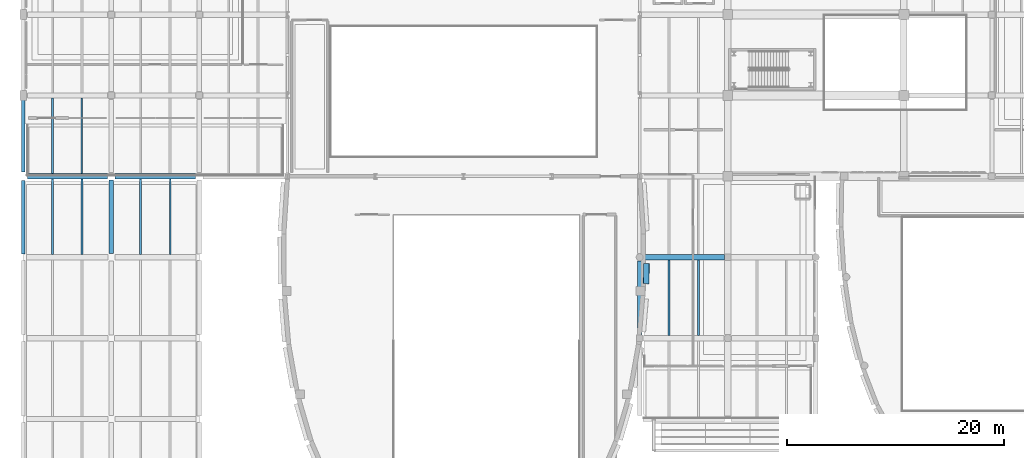
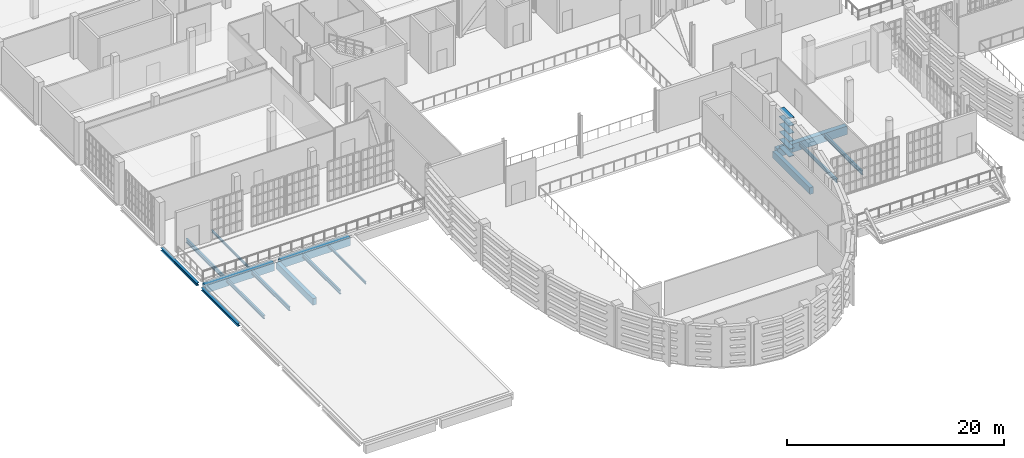
# One storey, part 12 of 104: 15 beams, 6 members.
"""IFC4 building model written with IfcOpenShell, lengths in metres."""

import ifcopenshell
import ifcopenshell.guid

model = None  # the IFC model being written
_history = None  # IfcOwnerHistory: only IFC2X3 demands one
_inside = {}  # id of a spatial element -> (the spatial element, [elements in it])
_under = {}  # id of a project, library or spatial element -> (it, [spatial elements below it])
_declared = {}  # id of a project -> (the project, [libraries it declares])
_typed = {}  # id of a type object -> (the type object, [elements of that type])
_made_of = {}  # id of a material, layer set ... -> (it, [elements and type objects made of it])


def new_model(schema):
    """Start an empty IFC model of exactly this schema.

    Asked for "IFC4X3", IfcOpenShell would pick the latest addendum, in which some entities
    have other attributes; the version numbers below select the first issue.
    IFC2X3 requires an IfcOwnerHistory on every rooted entity: one is made here for all.
    """
    global model, _history
    if schema == "IFC4X3":
        model = ifcopenshell.file(schema_version=(4, 3, 0, 0))
    else:
        model = ifcopenshell.file(schema=schema)
    _inside.clear()
    _under.clear()
    _declared.clear()
    _typed.clear()
    _made_of.clear()
    _history = None
    if model.schema == "IFC2X3":
        org = make("IfcOrganization", Name="unknown")
        user = make(
            "IfcPersonAndOrganization",
            ThePerson=make("IfcPerson", FamilyName="unknown"),
            TheOrganization=org,
        )
        app = make(
            "IfcApplication",
            ApplicationDeveloper=org,
            Version="unknown",
            ApplicationFullName="unknown",
            ApplicationIdentifier="unknown",
        )
        _history = make(
            "IfcOwnerHistory",
            OwningUser=user,
            OwningApplication=app,
            ChangeAction="ADDED",
            CreationDate=0,
        )
    return model


def make(cls, **values):
    """One entity of the class cls with the attributes given. An attribute that is None is left unset."""
    return model.create_entity(
        cls, **{name: value for name, value in values.items() if value is not None}
    )


def rooted(cls, **values):
    """An entity with a GlobalId (a new one), such as an element, a storey or a relation."""
    return make(cls, GlobalId=ifcopenshell.guid.new(), OwnerHistory=_history, **values)


def si_unit(unit_type, name, prefix=None):
    """IfcSIUnit, for example si_unit("LENGTHUNIT", "METRE", prefix="MILLI")."""
    return make("IfcSIUnit", UnitType=unit_type, Prefix=prefix, Name=name)


def assignment(units):
    """IfcUnitAssignment: the units of a project."""
    return None if units is None else make("IfcUnitAssignment", Units=units)


def point(xyz):
    """IfcCartesianPoint."""
    return None if xyz is None else make("IfcCartesianPoint", Coordinates=xyz)


def direction(xyz):
    """IfcDirection."""
    return None if xyz is None else make("IfcDirection", DirectionRatios=xyz)


def frame(location, z_axis=None, x_axis=None):
    """IfcAxis2Placement3D, a coordinate frame: its origin and axes. An axis left out is left unset."""
    return make(
        "IfcAxis2Placement3D",
        Location=point(location),
        Axis=direction(z_axis),
        RefDirection=direction(x_axis),
    )


def frame_2d(location, x_axis=None):
    """IfcAxis2Placement2D, a coordinate frame in the plane: its origin and x axis."""
    return make(
        "IfcAxis2Placement2D", Location=point(location), RefDirection=direction(x_axis)
    )


def origin():
    """The frame at (0, 0, 0) with its axes left unset."""
    return frame((0.0, 0.0, 0.0))


def origin_2d():
    """The frame at (0, 0) in the plane with its x axis left unset."""
    return frame_2d((0.0, 0.0))


def place(relative_to, where):
    """IfcLocalPlacement: puts the frame where relative to a parent placement (None: the world)."""
    return make(
        "IfcLocalPlacement", PlacementRelTo=relative_to, RelativePlacement=where
    )


def context(
    kind, dimensions, precision=None, world=None, true_north=None, identifier=None
):
    """IfcGeometricRepresentationContext, for example the 3D "Model" context."""
    return make(
        "IfcGeometricRepresentationContext",
        ContextIdentifier=identifier,
        ContextType=kind,
        CoordinateSpaceDimension=dimensions,
        Precision=precision,
        WorldCoordinateSystem=world,
        TrueNorth=true_north,
    )


def subcontext(parent, identifier, kind, view, scale=None):
    """IfcGeometricRepresentationSubContext, for example "Body" below "Model"."""
    return make(
        "IfcGeometricRepresentationSubContext",
        ContextIdentifier=identifier,
        ContextType=kind,
        ParentContext=parent,
        TargetScale=scale,
        TargetView=view,
    )


def project(units=None, contexts=None):
    """IfcProject with its units and contexts."""
    return rooted(
        "IfcProject",
        Name="project",
        RepresentationContexts=contexts,
        UnitsInContext=assignment(units),
    )


def spatial(cls, under=None, at=None, **own):
    """A site, building, storey or space (cls), placed at a placement, below another one or the project."""
    s = rooted(cls, ObjectPlacement=at, **own)
    if under is not None:
        _under.setdefault(under.id(), (under, []))[1].append(s)
    return s


def profile(cls, at=None, kind="AREA", **sizes):
    """A parametric profile (cls). Its sizes go by their IFC names, for example OverallWidth=200.0."""
    return make(cls, ProfileType=kind, Position=at, **sizes)


def rectangle(**sizes):
    """IfcRectangleProfileDef."""
    return profile("IfcRectangleProfileDef", **sizes)


def hollow_rectangle(**sizes):
    """IfcRectangleHollowProfileDef."""
    return profile("IfcRectangleHollowProfileDef", **sizes)


def i_section(**sizes):
    """IfcIShapeProfileDef."""
    return profile("IfcIShapeProfileDef", **sizes)


def extrude(swept, where, along, depth):
    """IfcExtrudedAreaSolid: the profile swept, set in the frame where, extruded along a direction by depth."""
    return make(
        "IfcExtrudedAreaSolid",
        SweptArea=swept,
        Position=where,
        ExtrudedDirection=direction(along),
        Depth=depth,
    )


def shape(context_of_items, identifier, shape_type, items):
    """IfcShapeRepresentation: the items that make up one representation, for example the "Body"."""
    return make(
        "IfcShapeRepresentation",
        ContextOfItems=context_of_items,
        RepresentationIdentifier=identifier,
        RepresentationType=shape_type,
        Items=items,
    )


def material(Name=None, Category=None):
    """IfcMaterial."""
    return make("IfcMaterial", Name=Name, Category=Category)


def material_profile(
    of_material, cross_section, Name=None, Category=None, Priority=None
):
    """IfcMaterialProfile: a cross section and its material."""
    return make(
        "IfcMaterialProfile",
        Name=Name,
        Material=of_material,
        Profile=cross_section,
        Priority=Priority,
        Category=Category,
    )


def profile_set(profiles, Name=None, composite=None):
    """IfcMaterialProfileSet."""
    return make(
        "IfcMaterialProfileSet",
        Name=Name,
        MaterialProfiles=profiles,
        CompositeProfile=composite,
    )


def made_of(thing, what):
    """Note that an element or type object is made of a material, layer set ...; save() writes the relation."""
    if what is not None:
        _made_of.setdefault(what.id(), (what, []))[1].append(thing)
    return thing


def type_object(cls, material=None, **own):
    """A type object (cls), such as IfcWallType, which elements share."""
    return made_of(rooted(cls, **own), material)


def element(
    cls,
    number,
    at=None,
    inside=None,
    cuts=None,
    type_object=None,
    material=None,
    context=None,
    identifier="Body",
    shape_type=None,
    held_by="IfcProductDefinitionShape",
    body=None,
    shapes=None,
    **own,
):
    """One element of the class cls, such as IfcWall. Its Tag is "e" and its number.

    at: its placement. inside: the storey or other place that contains it. cuts: it is an
    opening in that element (IfcRelVoidsElement). A single representation is given by context,
    identifier, shape_type and body (its items); several are given by shapes. held_by: the class
    of the entity that holds the representations. save() writes the other relations.
    """
    e = rooted(cls, Tag="e%d" % number, ObjectPlacement=at, **own)
    if body is not None:
        shapes = [shape(context, identifier, shape_type, body)]
    if shapes is not None:
        e.Representation = make(held_by, Representations=shapes)
    if inside is not None:
        _inside.setdefault(inside.id(), (inside, []))[1].append(e)
    if cuts is not None:
        rooted(
            "IfcRelVoidsElement", RelatingBuildingElement=cuts, RelatedOpeningElement=e
        )
    if type_object is not None:
        _typed.setdefault(type_object.id(), (type_object, []))[1].append(e)
    return made_of(e, material)


def aggregate(whole, parts):
    """IfcRelAggregates: a whole, such as a stair, and the parts it consists of."""
    return rooted("IfcRelAggregates", RelatingObject=whole, RelatedObjects=parts)


def save(model, path):
    """Write the relations noted so far, then the file.

    IfcRelAggregates (storeys below a building ...), IfcRelContainedInSpatialStructure (elements
    in a storey), IfcRelDefinesByType, IfcRelAssociatesMaterial and IfcRelDeclares: one each for
    every whole, place, type object, material and project.
    """
    for whole, parts in _under.values():
        aggregate(whole, parts)
    for where, things in _inside.values():
        rooted(
            "IfcRelContainedInSpatialStructure",
            RelatedElements=things,
            RelatingStructure=where,
        )
    for kind, things in _typed.values():
        rooted("IfcRelDefinesByType", RelatedObjects=things, RelatingType=kind)
    for what, things in _made_of.values():
        rooted("IfcRelAssociatesMaterial", RelatedObjects=things, RelatingMaterial=what)
    for by, libraries in _declared.values():
        rooted("IfcRelDeclares", RelatingContext=by, RelatedDefinitions=libraries)
    model.write(path)


model = new_model("IFC4")

# Units and contexts
model_context = context("Model", 3, precision=1e-05, world=origin(), true_north=direction((0.0, 1.0)))
body_context = subcontext(model_context, "Body", "Model", "MODEL_VIEW")
ifc_project = project(units=[si_unit("LENGTHUNIT", "METRE"), si_unit("AREAUNIT", "SQUARE_METRE"), si_unit("VOLUMEUNIT", "CUBIC_METRE"), si_unit("PLANEANGLEUNIT", "RADIAN"), si_unit("MASSUNIT", "GRAM", prefix="KILO")], contexts=[model_context])

# Site, building, storey
site_placement = place(None, origin())
site = spatial("IfcSite", under=ifc_project, at=site_placement, CompositionType="ELEMENT")
building_placement = place(site_placement, origin())
building = spatial("IfcBuilding", under=site, at=building_placement, Name="Kaelora Sail Theatre", CompositionType="ELEMENT")
storey_placement = place(building_placement, frame((0.0, 0.0, 5.39990234375)))
storey = spatial("IfcBuildingStorey", under=building, at=storey_placement, Name="L01", CompositionType="ELEMENT", Elevation=5.39990234375)

# Members
ifc_material_1 = material(Name="Anodised aluminium 6063-T6", Category="aluminium")
ifc_material_profile_1 = material_profile(ifc_material_1, hollow_rectangle(XDim=0.550048828125, YDim=0.06494140625, WallThickness=0.00390625, InnerFilletRadius=0.00390625, OuterFilletRadius=0.008056640625, at=origin_2d()), Name="LOUVRE 550x65x4")
ifc_profile_set_1 = profile_set([ifc_material_profile_1], Name="Anodised aluminium 6063-T6")
member_type = type_object("IfcMemberType", Name="ARC-MEM-LVR-300", PredefinedType="USERDEFINED", material=ifc_profile_set_1)
for number, where, z_axis, x_axis, name in (
    (1, (58.808837890625, 52.990478515625, 0.150146484375), (-0.00488636533, -0.999988061646, 0.0), (0.999988061646, -0.00488636533, 0.0), "Main Theatre Sail Drum horizontal solar louvre C2-06"),
    (2, (58.808837890625, 52.990478515625, 1.010009765625), (-0.00488636533, -0.999988061646, 0.0), (0.999988061646, -0.00488636533, 0.0), "Main Theatre Sail Drum horizontal solar louvre C2-07"),
    (3, (58.808837890625, 52.990478515625, 1.8701171875), (-0.00488636533, -0.999988061646, 0.0), (0.999988061646, -0.00488636533, 0.0), "Main Theatre Sail Drum horizontal solar louvre C2-08"),
    (4, (58.808837890625, 52.990478515625, 2.72998046875), (-0.00488636533, -0.999988061646, 0.0), (0.999988061646, -0.00488636533, 0.0), "Main Theatre Sail Drum horizontal solar louvre C2-09"),
    (5, (58.808837890625, 52.990478515625, 3.590087890625), (-0.00488636533, -0.999988061646, 0.0), (0.999988061646, -0.00488636533, 0.0), "Main Theatre Sail Drum horizontal solar louvre C2-10"),
    (6, (58.808837890625, 52.990478515625, 4.4501953125), (-0.00488636533, -0.999988061646, 0.0), (0.999988061646, -0.00488636533, 0.0), "Main Theatre Sail Drum horizontal solar louvre C2-11"),
):
    element("IfcMember", number, at=place(storey_placement, frame(where, z_axis=z_axis, x_axis=x_axis)), inside=storey, type_object=member_type, Name=name, ObjectType="LOUVRE", PredefinedType="USERDEFINED", context=body_context, shape_type="SweptSolid", body=[
        extrude(hollow_rectangle(XDim=0.550048828125, YDim=0.06494140625, WallThickness=0.00390625, InnerFilletRadius=0.00390625, OuterFilletRadius=0.008056640625, at=origin_2d()), origin(), (0.0, 0.0, 1.0), 1.8486328125),
    ])

# Beams
ifc_material_2 = material(Name="Steel S355", Category="steel")
ifc_material_profile_2 = material_profile(ifc_material_2, i_section(OverallWidth=0.18994140625, OverallDepth=0.449951171875, WebThickness=0.009521484375, FlangeThickness=0.0146484375, FilletRadius=0.02099609375, at=origin_2d()), Name="IPE 450")
ifc_profile_set_2 = profile_set([ifc_material_profile_2], Name="Steel S355")
beam_type_1 = type_object("IfcBeamType", Name="STR-BM-BM-IPE450", PredefinedType="BEAM", material=ifc_profile_set_2)
for number, where, z_axis, x_axis, name in (
    (7, (6.89990234375, 53.830078125, -0.52001953125), (0.0, 1.0, 0.0), (-1.0, 0.0, 0.0), "Secondary floor joist 1/H-2 (L01)"),
    (8, (4.199951171875, 61.27001953125, -0.52001953125), (0.0, 1.0, 0.0), (-1.0, 0.0, 0.0), "Secondary floor joist 1/I-1 (L01)"),
    (9, (12.300048828125, 53.830078125, -0.52001953125), (0.0, 1.0, 0.0), (-1.0, 0.0, 0.0), "Secondary floor joist 2/H-1 (L01)"),
):
    element("IfcBeam", number, at=place(storey_placement, frame(where, z_axis=z_axis, x_axis=x_axis)), inside=storey, type_object=beam_type_1, Name=name, PredefinedType="BEAM", context=body_context, shape_type="SweptSolid", body=[
        extrude(i_section(OverallWidth=0.18994140625, OverallDepth=0.449951171875, WebThickness=0.009521484375, FlangeThickness=0.0146484375, FilletRadius=0.02099609375, at=origin_2d()), origin(), (0.0, 0.0, 1.0), 6.93994140625),
    ])
beam_1_placement = place(storey_placement, frame((63.60009765625, 46.389892578125, -0.52001953125), z_axis=(0.0, 1.0, 0.0), x_axis=(-1.0, 0.0, 0.0)))
element("IfcBeam", 10, at=beam_1_placement, inside=storey, type_object=beam_type_1, Name="Secondary floor joist 8/G-2 (L01)", PredefinedType="BEAM", context=body_context, shape_type="SweptSolid", body=[
    extrude(i_section(OverallWidth=0.18994140625, OverallDepth=0.449951171875, WebThickness=0.009521484375, FlangeThickness=0.0146484375, FilletRadius=0.02099609375, at=origin_2d()), origin(), (0.0, 0.0, 1.0), 6.940185546875),
])
ifc_material_3 = material(Name="Concrete C40/50", Category="concrete")
ifc_material_profile_3 = material_profile(ifc_material_3, rectangle(XDim=0.39990234375, YDim=0.75, at=origin_2d()), Name="RC-BM 400x750")
ifc_profile_set_3 = profile_set([ifc_material_profile_3], Name="Concrete C40/50")
beam_type_2 = type_object("IfcBeamType", Name="STR-BM-BM-RC4075", PredefinedType="BEAM", material=ifc_profile_set_3)
beam_2_placement = place(storey_placement, frame((9.60009765625, 53.905029296875, -0.669921875), z_axis=(0.0, 1.0, 0.0), x_axis=(-1.0, 0.0, 0.0)))
element("IfcBeam", 11, at=beam_2_placement, inside=storey, type_object=beam_type_2, Name="Primary beam 2 H-I (L01)", PredefinedType="BEAM", context=body_context, shape_type="SweptSolid", body=[
    extrude(rectangle(XDim=0.39990234375, YDim=0.75, at=origin_2d()), origin(), (0.0, 0.0, 1.0), 6.764892578125),
])
beam_3_placement = place(storey_placement, frame((58.199951171875, 46.43994140625, -0.669921875), z_axis=(0.0, 1.0, 0.0), x_axis=(-1.0, 0.0, 0.0)))
element("IfcBeam", 12, at=beam_3_placement, inside=storey, type_object=beam_type_2, Name="Primary beam 8 G-H (L01)", PredefinedType="BEAM", context=body_context, shape_type="SweptSolid", body=[
    extrude(rectangle(XDim=0.39990234375, YDim=0.75, at=origin_2d()), origin(), (0.0, 0.0, 1.0), 6.81494140625),
])
ifc_material_4 = material(Name="Concrete C45/55", Category="concrete")
ifc_material_profile_4 = material_profile(ifc_material_4, rectangle(XDim=0.5, YDim=0.949951171875, at=origin_2d()), Name="RC-GRD 500x950")
ifc_profile_set_4 = profile_set([ifc_material_profile_4], Name="Concrete C45/55")
beam_type_3 = type_object("IfcBeamType", Name="STR-BM-GR-RC5095", PredefinedType="T_BEAM", material=ifc_profile_set_4)
beam_4_placement = place(storey_placement, frame((1.89990234375, 61.02001953125, -0.77001953125), z_axis=(1.0, 0.0, 0.0), x_axis=(0.0, 1.0, 0.0)))
element("IfcBeam", 13, at=beam_4_placement, inside=storey, type_object=beam_type_3, Name="Primary beam I 1-2 (L01)", PredefinedType="T_BEAM", context=body_context, shape_type="SweptSolid", body=[
    extrude(rectangle(XDim=0.5, YDim=0.949951171875, at=origin_2d()), origin(), (0.0, 0.0, 1.0), 7.35009765625),
])
beam_5_placement = place(storey_placement, frame((9.949951171875, 61.02001953125, -0.77001953125), z_axis=(1.0, 0.0, 0.0), x_axis=(0.0, 1.0, 0.0)))
element("IfcBeam", 14, at=beam_5_placement, inside=storey, type_object=beam_type_3, Name="Primary beam I 2-3 (L01)", PredefinedType="T_BEAM", context=body_context, shape_type="SweptSolid", body=[
    extrude(rectangle(XDim=0.5, YDim=0.949951171875, at=origin_2d()), origin(), (0.0, 0.0, 1.0), 7.400146484375),
])
beam_6_placement = place(storey_placement, frame((58.52490234375, 53.580078125, -0.77001953125), z_axis=(1.0, 0.0, 0.0), x_axis=(0.0, 1.0, 0.0)))
element("IfcBeam", 15, at=beam_6_placement, inside=storey, type_object=beam_type_3, Name="Primary beam H 8-9 (L01)", PredefinedType="T_BEAM", context=body_context, shape_type="SweptSolid", body=[
    extrude(rectangle(XDim=0.5, YDim=0.949951171875, at=origin_2d()), origin(), (0.0, 0.0, 1.0), 7.47509765625),
])
ifc_material_5 = material(Name="Steel S355", Category="steel")
ifc_material_profile_5 = material_profile(ifc_material_5, i_section(OverallWidth=0.135009765625, OverallDepth=0.27001953125, WebThickness=0.006591796875, FlangeThickness=0.01025390625, FilletRadius=0.014892578125, at=origin_2d()), Name="IPE 270")
ifc_profile_set_5 = profile_set([ifc_material_profile_5], Name="Steel S355")
beam_type_4 = type_object("IfcBeamType", Name="STR-BM-JS-IPE270", PredefinedType="JOIST", material=ifc_profile_set_5)
for number, where, z_axis, x_axis, name in (
    (16, (6.89990234375, 61.27001953125, -0.429931640625), (0.0, 1.0, 0.0), (-1.0, 0.0, 0.0), "Secondary floor joist 1/I-2 (L01)"),
    (17, (15.0, 53.830078125, -0.429931640625), (0.0, 1.0, 0.0), (-1.0, 0.0, 0.0), "Secondary floor joist 2/H-2 (L01)"),
):
    element("IfcBeam", number, at=place(storey_placement, frame(where, z_axis=z_axis, x_axis=x_axis)), inside=storey, type_object=beam_type_4, Name=name, PredefinedType="JOIST", context=body_context, shape_type="SweptSolid", body=[
        extrude(i_section(OverallWidth=0.135009765625, OverallDepth=0.27001953125, WebThickness=0.006591796875, FlangeThickness=0.01025390625, FilletRadius=0.014892578125, at=origin_2d()), origin(), (0.0, 0.0, 1.0), 6.93994140625),
    ])
ifc_material_6 = material(Name="Steel S355", Category="steel")
ifc_material_profile_6 = material_profile(ifc_material_6, i_section(OverallWidth=0.179931640625, OverallDepth=0.39990234375, WebThickness=0.008544921875, FlangeThickness=0.013427734375, FilletRadius=0.02099609375, at=origin_2d()), Name="IPE 400")
ifc_profile_set_6 = profile_set([ifc_material_profile_6], Name="Steel S355")
beam_type_5 = type_object("IfcBeamType", Name="STR-BM-JS-IPE400", PredefinedType="JOIST", material=ifc_profile_set_6)
beam_7_placement = place(storey_placement, frame((4.199951171875, 53.830078125, -0.494873046875), z_axis=(0.0, 1.0, 0.0), x_axis=(-1.0, 0.0, 0.0)))
element("IfcBeam", 18, at=beam_7_placement, inside=storey, type_object=beam_type_5, Name="Secondary floor joist 1/H-1 (L01)", PredefinedType="JOIST", context=body_context, shape_type="SweptSolid", body=[
    extrude(i_section(OverallWidth=0.179931640625, OverallDepth=0.39990234375, WebThickness=0.008544921875, FlangeThickness=0.013427734375, FilletRadius=0.02099609375, at=origin_2d()), origin(), (0.0, 0.0, 1.0), 6.93994140625),
])
beam_8_placement = place(storey_placement, frame((60.89990234375, 46.389892578125, -0.494873046875), z_axis=(0.0, 1.0, 0.0), x_axis=(-1.0, 0.0, 0.0)))
element("IfcBeam", 19, at=beam_8_placement, inside=storey, type_object=beam_type_5, Name="Secondary floor joist 8/G-1 (L01)", PredefinedType="JOIST", context=body_context, shape_type="SweptSolid", body=[
    extrude(i_section(OverallWidth=0.179931640625, OverallDepth=0.39990234375, WebThickness=0.008544921875, FlangeThickness=0.013427734375, FilletRadius=0.02099609375, at=origin_2d()), origin(), (0.0, 0.0, 1.0), 6.940185546875),
])
ifc_material_7 = material(Name="Steel S355", Category="steel")
ifc_material_profile_7 = material_profile(ifc_material_7, i_section(OverallWidth=0.300048828125, OverallDepth=0.300048828125, WebThickness=0.010986328125, FlangeThickness=0.01904296875, FilletRadius=0.027099609375, at=origin_2d()), Name="HEB 300")
ifc_profile_set_7 = profile_set([ifc_material_profile_7], Name="Steel S355")
beam_type_6 = type_object("IfcBeamType", Name="STR-BM-SP-HEB300", PredefinedType="SPANDREL", material=ifc_profile_set_7)
beam_9_placement = place(storey_placement, frame((1.5, 53.8798828125, -0.44482421875), z_axis=(0.0, 1.0, 0.0), x_axis=(-1.0, 0.0, 0.0)))
element("IfcBeam", 20, at=beam_9_placement, inside=storey, type_object=beam_type_6, Name="Primary beam 1 H-I (L01)", PredefinedType="SPANDREL", context=body_context, shape_type="SweptSolid", body=[
    extrude(i_section(OverallWidth=0.300048828125, OverallDepth=0.300048828125, WebThickness=0.010986328125, FlangeThickness=0.01904296875, FilletRadius=0.027099609375, at=origin_2d()), origin(), (0.0, 0.0, 1.0), 6.740234375),
])
beam_10_placement = place(storey_placement, frame((1.5, 61.419921875, -0.44482421875), z_axis=(0.0, 1.0, 0.0), x_axis=(-1.0, 0.0, 0.0)))
element("IfcBeam", 21, at=beam_10_placement, inside=storey, type_object=beam_type_6, Name="Primary beam 1 I-J (L01)", PredefinedType="SPANDREL", context=body_context, shape_type="SweptSolid", body=[
    extrude(i_section(OverallWidth=0.300048828125, OverallDepth=0.300048828125, WebThickness=0.010986328125, FlangeThickness=0.01904296875, FilletRadius=0.027099609375, at=origin_2d()), origin(), (0.0, 0.0, 1.0), 6.64013671875),
])

save(model, "model.ifc")
